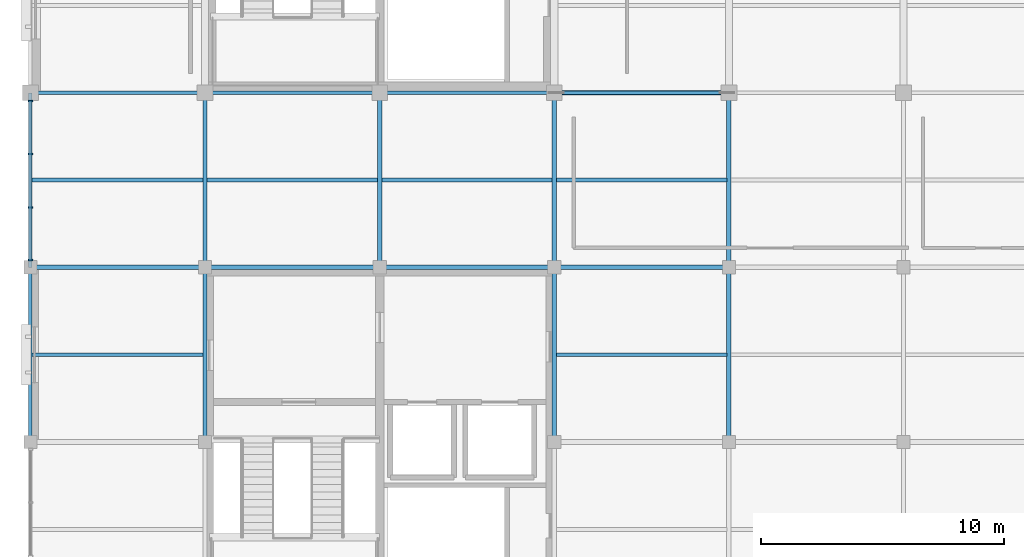
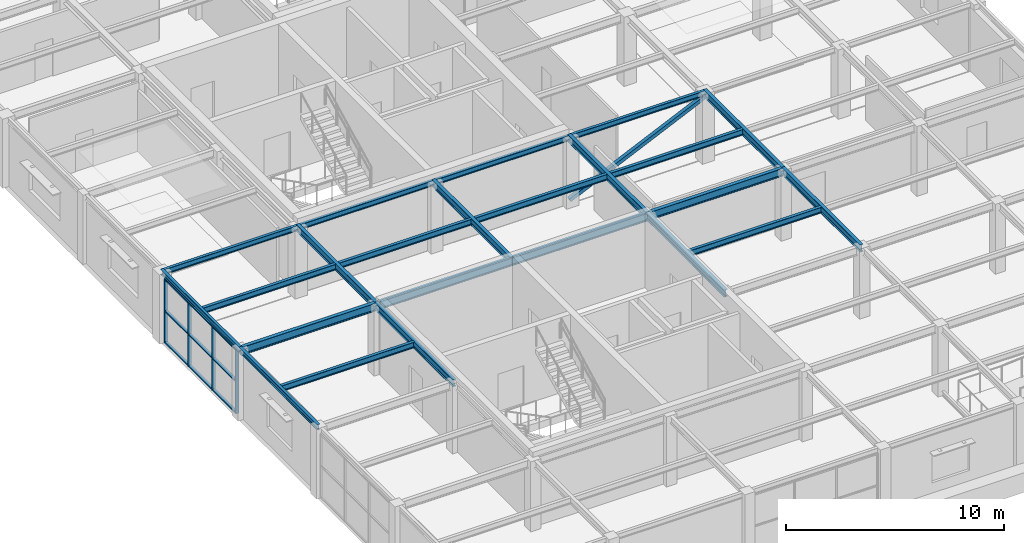
# One storey, part 22 of 83: 23 beams, 8 members, 1 element without a shape of its own.
"""IFC4 building model written with IfcOpenShell, lengths in metres."""

from ifc_helpers import new_model, si_unit, direction, frame, origin, origin_2d, place, context, subcontext, project, spatial, rectangle, hollow_rectangle, i_section, extrude, material, material_profile, profile_set, type_object, element, aggregate, save


model = new_model("IFC4")

# Units and contexts
model_context = context("Model", 3, precision=1e-05, world=origin(), true_north=direction((0.0, 1.0)))
body_context = subcontext(model_context, "Body", "Model", "MODEL_VIEW")
ifc_project = project(units=[si_unit("LENGTHUNIT", "METRE"), si_unit("AREAUNIT", "SQUARE_METRE"), si_unit("VOLUMEUNIT", "CUBIC_METRE"), si_unit("PLANEANGLEUNIT", "RADIAN"), si_unit("MASSUNIT", "GRAM", prefix="KILO")], contexts=[model_context])

# Site, building, storey
site_placement = place(None, origin())
site = spatial("IfcSite", under=ifc_project, at=site_placement, CompositionType="ELEMENT")
building_placement = place(site_placement, origin())
building = spatial("IfcBuilding", under=site, at=building_placement, Name="Leyfeld Transit Interchange", CompositionType="ELEMENT")
storey_placement = place(building_placement, frame((0.0, 0.0, 5.39990234375)))
storey = spatial("IfcBuildingStorey", under=building, at=storey_placement, Name="L01", CompositionType="ELEMENT", Elevation=5.39990234375)

# Beams
ifc_material_1 = material(Name="Steel S355J2", Category="steel")
ifc_material_profile_1 = material_profile(ifc_material_1, i_section(OverallWidth=0.14990234375, OverallDepth=0.300048828125, WebThickness=0.007080078125, FlangeThickness=0.0107421875, FilletRadius=0.014892578125, at=origin_2d()), Name="IPE 300")
ifc_profile_set_1 = profile_set([ifc_material_profile_1], Name="Steel S355J2")
beam_type_1 = type_object("IfcBeamType", Name="BM-STL-IPE300", PredefinedType="SPANDREL", material=ifc_profile_set_1)
beam_1_placement = place(storey_placement, frame((0.0, 79.199951171875, 3.77001953125), z_axis=(0.0, 1.0, 0.0), x_axis=(-1.0, 0.0, 0.0)))
element("IfcBeam", 1, at=beam_1_placement, inside=storey, type_object=beam_type_1, Name="Beam BM-L01-0000_0792-0000_0864", PredefinedType="SPANDREL", context=body_context, shape_type="SweptSolid", body=[
    extrude(i_section(OverallWidth=0.14990234375, OverallDepth=0.300048828125, WebThickness=0.007080078125, FlangeThickness=0.0107421875, FilletRadius=0.014892578125, at=origin_2d()), origin(), (0.0, 0.0, 1.0), 7.199951171875),
])
beam_2_placement = place(storey_placement, frame((0.0, 86.39990234375, 3.77001953125), z_axis=(0.0, 1.0, 0.0), x_axis=(-1.0, 0.0, 0.0)))
element("IfcBeam", 2, at=beam_2_placement, inside=storey, type_object=beam_type_1, Name="Beam BM-L01-0000_0864-0000_0936", PredefinedType="SPANDREL", context=body_context, shape_type="SweptSolid", body=[
    extrude(i_section(OverallWidth=0.14990234375, OverallDepth=0.300048828125, WebThickness=0.007080078125, FlangeThickness=0.0107421875, FilletRadius=0.014892578125, at=origin_2d()), origin(), (0.0, 0.0, 1.0), 7.2001953125),
])
for number, where, z_axis, x_axis, name in (
    (3, (0.0, 93.60009765625, 3.72998046875), (1.0, 0.0, 0.0), (0.0, 1.0, 0.0), "Beam BM-L01-0000_0936-0072_0936"),
    (4, (7.199951171875, 93.60009765625, 3.72998046875), (1.0, 0.0, 0.0), (0.0, 1.0, 0.0), "Beam BM-L01-0072_0936-0144_0936"),
):
    element("IfcBeam", number, at=place(storey_placement, frame(where, z_axis=z_axis, x_axis=x_axis)), inside=storey, type_object=beam_type_1, Name=name, PredefinedType="SPANDREL", context=body_context, shape_type="SweptSolid", body=[
        extrude(i_section(OverallWidth=0.14990234375, OverallDepth=0.300048828125, WebThickness=0.007080078125, FlangeThickness=0.0107421875, FilletRadius=0.014892578125, at=origin_2d()), origin(), (0.0, 0.0, 1.0), 7.199951171875),
    ])
beam_3_placement = place(storey_placement, frame((14.39990234375, 93.60009765625, 3.72998046875), z_axis=(1.0, 0.0, 0.0), x_axis=(0.0, 1.0, 0.0)))
element("IfcBeam", 5, at=beam_3_placement, inside=storey, type_object=beam_type_1, Name="Beam BM-L01-0144_0936-0216_0936", PredefinedType="SPANDREL", context=body_context, shape_type="SweptSolid", body=[
    extrude(i_section(OverallWidth=0.14990234375, OverallDepth=0.300048828125, WebThickness=0.007080078125, FlangeThickness=0.0107421875, FilletRadius=0.014892578125, at=origin_2d()), origin(), (0.0, 0.0, 1.0), 7.2001953125),
])
beam_4_placement = place(storey_placement, frame((21.60009765625, 93.60009765625, 3.72998046875), z_axis=(1.0, 0.0, 0.0), x_axis=(0.0, 1.0, 0.0)))
element("IfcBeam", 6, at=beam_4_placement, inside=storey, type_object=beam_type_1, Name="Beam BM-L01-0216_0936-0288_0936", PredefinedType="SPANDREL", context=body_context, shape_type="SweptSolid", body=[
    extrude(i_section(OverallWidth=0.14990234375, OverallDepth=0.300048828125, WebThickness=0.007080078125, FlangeThickness=0.0107421875, FilletRadius=0.014892578125, at=origin_2d()), origin(), (0.0, 0.0, 1.0), 7.199951171875),
])
ifc_material_profile_2 = material_profile(ifc_material_1, i_section(OverallWidth=0.159912109375, OverallDepth=0.330078125, WebThickness=0.007568359375, FlangeThickness=0.011474609375, FilletRadius=0.01806640625, at=origin_2d()), Name="IPE 330")
ifc_profile_set_2 = profile_set([ifc_material_profile_2], Name="Steel S355J2")
beam_type_2 = type_object("IfcBeamType", Name="BM-STL-IPE330", PredefinedType="BEAM", material=ifc_profile_set_2)
beam_5_placement = place(storey_placement, frame((0.072021484375, 82.800048828125, 3.755126953125), z_axis=(1.0, 0.0, 0.0), x_axis=(0.0, 1.0, 0.0)))
element("IfcBeam", 7, at=beam_5_placement, inside=storey, type_object=beam_type_2, Name="Beam BM-L01-0001_0828-0071_0828", PredefinedType="BEAM", context=body_context, shape_type="SweptSolid", body=[
    extrude(i_section(OverallWidth=0.159912109375, OverallDepth=0.330078125, WebThickness=0.007568359375, FlangeThickness=0.011474609375, FilletRadius=0.01806640625, at=origin_2d()), origin(), (0.0, 0.0, 1.0), 7.041015625),
])
beam_6_placement = place(storey_placement, frame((21.68701171875, 82.800048828125, 3.755126953125), z_axis=(1.0, 0.0, 0.0), x_axis=(0.0, 1.0, 0.0)))
element("IfcBeam", 8, at=beam_6_placement, inside=storey, type_object=beam_type_2, Name="Beam BM-L01-0217_0828-0287_0828", PredefinedType="BEAM", context=body_context, shape_type="SweptSolid", body=[
    extrude(i_section(OverallWidth=0.159912109375, OverallDepth=0.330078125, WebThickness=0.007568359375, FlangeThickness=0.011474609375, FilletRadius=0.01806640625, at=origin_2d()), origin(), (0.0, 0.0, 1.0), 7.02587890625),
])
beam_7_placement = place(storey_placement, frame((0.072021484375, 90.0, 3.755126953125), z_axis=(1.0, 0.0, 0.0), x_axis=(0.0, 1.0, 0.0)))
element("IfcBeam", 9, at=beam_7_placement, inside=storey, type_object=beam_type_2, Name="Beam BM-L01-0001_0900-0071_0900", PredefinedType="BEAM", context=body_context, shape_type="SweptSolid", body=[
    extrude(i_section(OverallWidth=0.159912109375, OverallDepth=0.330078125, WebThickness=0.007568359375, FlangeThickness=0.011474609375, FilletRadius=0.01806640625, at=origin_2d()), origin(), (0.0, 0.0, 1.0), 7.041015625),
])
for number, where, z_axis, x_axis, name in (
    (10, (7.287109375, 90.0, 3.755126953125), (1.0, 0.0, 0.0), (0.0, 1.0, 0.0), "Beam BM-L01-0073_0900-0143_0900"),
    (11, (14.487060546875, 90.0, 3.755126953125), (1.0, 0.0, 0.0), (0.0, 1.0, 0.0), "Beam BM-L01-0145_0900-0215_0900"),
    (12, (21.68701171875, 90.0, 3.755126953125), (1.0, 0.0, 0.0), (0.0, 1.0, 0.0), "Beam BM-L01-0217_0900-0287_0900"),
):
    element("IfcBeam", number, at=place(storey_placement, frame(where, z_axis=z_axis, x_axis=x_axis)), inside=storey, type_object=beam_type_2, Name=name, PredefinedType="BEAM", context=body_context, shape_type="SweptSolid", body=[
        extrude(i_section(OverallWidth=0.159912109375, OverallDepth=0.330078125, WebThickness=0.007568359375, FlangeThickness=0.011474609375, FilletRadius=0.01806640625, at=origin_2d()), origin(), (0.0, 0.0, 1.0), 7.02587890625),
    ])
ifc_material_profile_3 = material_profile(ifc_material_1, i_section(OverallWidth=0.179931640625, OverallDepth=0.39990234375, WebThickness=0.008544921875, FlangeThickness=0.013427734375, FilletRadius=0.02099609375, at=origin_2d()), Name="IPE 400")
ifc_profile_set_3 = profile_set([ifc_material_profile_3], Name="Steel S355J2")
beam_type_3 = type_object("IfcBeamType", Name="BM-STL-IPE400", PredefinedType="BEAM", material=ifc_profile_set_3)
beam_8_placement = place(storey_placement, frame((7.199951171875, 79.199951171875, 3.72021484375), z_axis=(0.0, 1.0, 0.0), x_axis=(-1.0, 0.0, 0.0)))
element("IfcBeam", 13, at=beam_8_placement, inside=storey, type_object=beam_type_3, Name="Beam BM-L01-0072_0792-0072_0864", PredefinedType="BEAM", context=body_context, shape_type="SweptSolid", body=[
    extrude(i_section(OverallWidth=0.179931640625, OverallDepth=0.39990234375, WebThickness=0.008544921875, FlangeThickness=0.013427734375, FilletRadius=0.02099609375, at=origin_2d()), origin(), (0.0, 0.0, 1.0), 7.199951171875),
])
for number, where, z_axis, x_axis, name in (
    (14, (7.199951171875, 86.39990234375, 3.72021484375), (0.0, 1.0, 0.0), (-1.0, 0.0, 0.0), "Beam BM-L01-0072_0864-0072_0936"),
    (15, (14.39990234375, 86.39990234375, 3.72021484375), (0.0, 1.0, 0.0), (-1.0, 0.0, 0.0), "Beam BM-L01-0144_0864-0144_0936"),
):
    element("IfcBeam", number, at=place(storey_placement, frame(where, z_axis=z_axis, x_axis=x_axis)), inside=storey, type_object=beam_type_3, Name=name, PredefinedType="BEAM", context=body_context, shape_type="SweptSolid", body=[
        extrude(i_section(OverallWidth=0.179931640625, OverallDepth=0.39990234375, WebThickness=0.008544921875, FlangeThickness=0.013427734375, FilletRadius=0.02099609375, at=origin_2d()), origin(), (0.0, 0.0, 1.0), 7.2001953125),
    ])
beam_9_placement = place(storey_placement, frame((21.60009765625, 79.199951171875, 3.72021484375), z_axis=(0.0, 1.0, 0.0), x_axis=(-1.0, 0.0, 0.0)))
element("IfcBeam", 16, at=beam_9_placement, inside=storey, type_object=beam_type_3, Name="Beam BM-L01-0216_0792-0216_0864", PredefinedType="BEAM", context=body_context, shape_type="SweptSolid", body=[
    extrude(i_section(OverallWidth=0.179931640625, OverallDepth=0.39990234375, WebThickness=0.008544921875, FlangeThickness=0.013427734375, FilletRadius=0.02099609375, at=origin_2d()), origin(), (0.0, 0.0, 1.0), 7.199951171875),
])
beam_10_placement = place(storey_placement, frame((21.60009765625, 86.39990234375, 3.72021484375), z_axis=(0.0, 1.0, 0.0), x_axis=(-1.0, 0.0, 0.0)))
element("IfcBeam", 17, at=beam_10_placement, inside=storey, type_object=beam_type_3, Name="Beam BM-L01-0216_0864-0216_0936", PredefinedType="BEAM", context=body_context, shape_type="SweptSolid", body=[
    extrude(i_section(OverallWidth=0.179931640625, OverallDepth=0.39990234375, WebThickness=0.008544921875, FlangeThickness=0.013427734375, FilletRadius=0.02099609375, at=origin_2d()), origin(), (0.0, 0.0, 1.0), 7.2001953125),
])
beam_11_placement = place(storey_placement, frame((28.800048828125, 79.199951171875, 3.72021484375), z_axis=(0.0, 1.0, 0.0), x_axis=(-1.0, 0.0, 0.0)))
element("IfcBeam", 18, at=beam_11_placement, inside=storey, type_object=beam_type_3, Name="Beam BM-L01-0288_0792-0288_0864", PredefinedType="BEAM", context=body_context, shape_type="SweptSolid", body=[
    extrude(i_section(OverallWidth=0.179931640625, OverallDepth=0.39990234375, WebThickness=0.008544921875, FlangeThickness=0.013427734375, FilletRadius=0.02099609375, at=origin_2d()), origin(), (0.0, 0.0, 1.0), 7.199951171875),
])
beam_12_placement = place(storey_placement, frame((28.800048828125, 86.39990234375, 3.72021484375), z_axis=(0.0, 1.0, 0.0), x_axis=(-1.0, 0.0, 0.0)))
element("IfcBeam", 19, at=beam_12_placement, inside=storey, type_object=beam_type_3, Name="Beam BM-L01-0288_0864-0288_0936", PredefinedType="BEAM", context=body_context, shape_type="SweptSolid", body=[
    extrude(i_section(OverallWidth=0.179931640625, OverallDepth=0.39990234375, WebThickness=0.008544921875, FlangeThickness=0.013427734375, FilletRadius=0.02099609375, at=origin_2d()), origin(), (0.0, 0.0, 1.0), 7.2001953125),
])
ifc_material_profile_4 = material_profile(ifc_material_1, i_section(OverallWidth=0.18994140625, OverallDepth=0.449951171875, WebThickness=0.009521484375, FlangeThickness=0.0146484375, FilletRadius=0.02099609375, at=origin_2d()), Name="IPE 450")
ifc_profile_set_4 = profile_set([ifc_material_profile_4], Name="Steel S355J2")
beam_type_4 = type_object("IfcBeamType", Name="BM-STL-IPE450", PredefinedType="BEAM", material=ifc_profile_set_4)
for number, where, z_axis, x_axis, name in (
    (20, (0.0, 86.39990234375, 3.695068359375), (1.0, 0.0, 0.0), (0.0, 1.0, 0.0), "Beam BM-L01-0000_0864-0072_0864"),
    (21, (7.199951171875, 86.39990234375, 3.695068359375), (1.0, 0.0, 0.0), (0.0, 1.0, 0.0), "Beam BM-L01-0072_0864-0144_0864"),
):
    element("IfcBeam", number, at=place(storey_placement, frame(where, z_axis=z_axis, x_axis=x_axis)), inside=storey, type_object=beam_type_4, Name=name, PredefinedType="BEAM", context=body_context, shape_type="SweptSolid", body=[
        extrude(i_section(OverallWidth=0.18994140625, OverallDepth=0.449951171875, WebThickness=0.009521484375, FlangeThickness=0.0146484375, FilletRadius=0.02099609375, at=origin_2d()), origin(), (0.0, 0.0, 1.0), 7.199951171875),
    ])
beam_13_placement = place(storey_placement, frame((14.39990234375, 86.39990234375, 3.695068359375), z_axis=(1.0, 0.0, 0.0), x_axis=(0.0, 1.0, 0.0)))
element("IfcBeam", 22, at=beam_13_placement, inside=storey, type_object=beam_type_4, Name="Beam BM-L01-0144_0864-0216_0864", PredefinedType="BEAM", context=body_context, shape_type="SweptSolid", body=[
    extrude(i_section(OverallWidth=0.18994140625, OverallDepth=0.449951171875, WebThickness=0.009521484375, FlangeThickness=0.0146484375, FilletRadius=0.02099609375, at=origin_2d()), origin(), (0.0, 0.0, 1.0), 7.2001953125),
])
beam_14_placement = place(storey_placement, frame((21.60009765625, 86.39990234375, 3.695068359375), z_axis=(1.0, 0.0, 0.0), x_axis=(0.0, 1.0, 0.0)))
element("IfcBeam", 23, at=beam_14_placement, inside=storey, type_object=beam_type_4, Name="Beam BM-L01-0216_0864-0288_0864", PredefinedType="BEAM", context=body_context, shape_type="SweptSolid", body=[
    extrude(i_section(OverallWidth=0.18994140625, OverallDepth=0.449951171875, WebThickness=0.009521484375, FlangeThickness=0.0146484375, FilletRadius=0.02099609375, at=origin_2d()), origin(), (0.0, 0.0, 1.0), 7.199951171875),
])

# Curtain wall, members
ifc_material_2 = material(Name="Anodised aluminium EN AW-6060 T66", Category="aluminium")
curtain_wall_type = type_object("IfcCurtainWallType", Name="CW-SYS-CYC-7200", PredefinedType="NOTDEFINED", material=ifc_material_2)
curtain_wall_placement = place(storey_placement, origin())
curtain_wall = element("IfcCurtainWall", 24, at=curtain_wall_placement, inside=storey, type_object=curtain_wall_type, Name="Curtain Wall CW-L01-072", PredefinedType="NOTDEFINED")
ifc_material_profile_5 = material_profile(ifc_material_2, rectangle(XDim=0.06494140625, YDim=0.179931640625, at=origin_2d()), Name="CW-M 65x180")
ifc_profile_set_5 = profile_set([ifc_material_profile_5], Name="Anodised aluminium EN AW-6060 T66")
member_type_1 = type_object("IfcMemberType", Name="CW-MUL-150x65", PredefinedType="MULLION", material=ifc_profile_set_5)
member_1_placement = place(storey_placement, frame((0.0, 86.697509765625, 0.0), z_axis=(0.0, 0.0, 1.0), x_axis=(0.0, 1.0, 0.0)))
member_1 = element("IfcMember", 25, at=member_1_placement, type_object=member_type_1, Name="Curtain Mullion CW-L01-072-M01", PredefinedType="MULLION", context=body_context, shape_type="SweptSolid", body=[
    extrude(rectangle(XDim=0.06494140625, YDim=0.179931640625, at=origin_2d()), origin(), (0.0, 0.0, 1.0), 3.590087890625),
])
member_2_placement = place(storey_placement, frame((0.0, 88.87158203125, 0.0), z_axis=(0.0, 0.0, 1.0), x_axis=(0.0, 1.0, 0.0)))
member_2 = element("IfcMember", 26, at=member_2_placement, type_object=member_type_1, Name="Curtain Mullion CW-L01-072-M02", PredefinedType="MULLION", context=body_context, shape_type="SweptSolid", body=[
    extrude(rectangle(XDim=0.06494140625, YDim=0.179931640625, at=origin_2d()), origin(), (0.0, 0.0, 1.0), 3.590087890625),
])
member_3_placement = place(storey_placement, frame((0.0, 91.078369140625, 0.0), z_axis=(0.0, 0.0, 1.0), x_axis=(0.0, 1.0, 0.0)))
member_3 = element("IfcMember", 27, at=member_3_placement, type_object=member_type_1, Name="Curtain Mullion CW-L01-072-M03", PredefinedType="MULLION", context=body_context, shape_type="SweptSolid", body=[
    extrude(rectangle(XDim=0.06494140625, YDim=0.179931640625, at=origin_2d()), origin(), (0.0, 0.0, 1.0), 3.590087890625),
])
member_4_placement = place(storey_placement, frame((0.0, 93.25244140625, 0.0), z_axis=(0.0, 0.0, 1.0), x_axis=(0.0, 1.0, 0.0)))
member_4 = element("IfcMember", 28, at=member_4_placement, type_object=member_type_1, Name="Curtain Mullion CW-L01-072-M04", PredefinedType="MULLION", context=body_context, shape_type="SweptSolid", body=[
    extrude(rectangle(XDim=0.06494140625, YDim=0.179931640625, at=origin_2d()), origin(), (0.0, 0.0, 1.0), 3.590087890625),
])
ifc_material_profile_6 = material_profile(ifc_material_2, rectangle(XDim=0.14990234375, YDim=0.06494140625, at=origin_2d()), Name="CW-TRN-135x65")
ifc_profile_set_6 = profile_set([ifc_material_profile_6], Name="Anodised aluminium EN AW-6060 T66")
member_type_2 = type_object("IfcMemberType", Name="CW-TRN-135x65", PredefinedType="USERDEFINED", material=ifc_profile_set_6)
member_5_placement = place(storey_placement, frame((0.0, 86.6650390625, 0.03271484375), z_axis=(0.0, 1.0, 0.0), x_axis=(-1.0, 0.0, 0.0)))
member_5 = element("IfcMember", 29, at=member_5_placement, type_object=member_type_2, Name="Curtain Transom CW-L01-072-T01", ObjectType="TRANSOM", PredefinedType="USERDEFINED", context=body_context, shape_type="SweptSolid", body=[
    extrude(rectangle(XDim=0.14990234375, YDim=0.06494140625, at=origin_2d()), origin(), (0.0, 0.0, 1.0), 6.619873046875),
])
member_6_placement = place(storey_placement, frame((0.0, 86.6650390625, 1.795166015625), z_axis=(0.0, 1.0, 0.0), x_axis=(-1.0, 0.0, 0.0)))
member_6 = element("IfcMember", 30, at=member_6_placement, type_object=member_type_2, Name="Curtain Transom CW-L01-072-T02", ObjectType="TRANSOM", PredefinedType="USERDEFINED", context=body_context, shape_type="SweptSolid", body=[
    extrude(rectangle(XDim=0.14990234375, YDim=0.06494140625, at=origin_2d()), origin(), (0.0, 0.0, 1.0), 6.619873046875),
])
member_7_placement = place(storey_placement, frame((0.0, 86.6650390625, 3.5576171875), z_axis=(0.0, 1.0, 0.0), x_axis=(-1.0, 0.0, 0.0)))
member_7 = element("IfcMember", 31, at=member_7_placement, type_object=member_type_2, Name="Curtain Transom CW-L01-072-T03", ObjectType="TRANSOM", PredefinedType="USERDEFINED", context=body_context, shape_type="SweptSolid", body=[
    extrude(rectangle(XDim=0.14990234375, YDim=0.06494140625, at=origin_2d()), origin(), (0.0, 0.0, 1.0), 6.619873046875),
])
aggregate(curtain_wall, [member_1, member_2, member_3, member_4, member_5, member_6, member_7])

# Member
ifc_material_profile_7 = material_profile(ifc_material_1, hollow_rectangle(XDim=0.199951171875, YDim=0.199951171875, WallThickness=0.010009765625, at=origin_2d()), Name="SHS 200x200x10")
ifc_profile_set_7 = profile_set([ifc_material_profile_7], Name="Steel S355J2")
member_type_3 = type_object("IfcMemberType", Name="MEM-BRC-SHS200", PredefinedType="BRACE", material=ifc_profile_set_7)
member_8_placement = place(storey_placement, frame((21.60009765625, 93.60009765625, 0.25), z_axis=(0.909061417515, 0.0, 0.416662140332), x_axis=(0.0, 1.0, 0.0)))
element("IfcMember", 32, at=member_8_placement, inside=storey, type_object=member_type_3, Name="Lateral Diagonal Brace 002", PredefinedType="BRACE", context=body_context, shape_type="SweptSolid", body=[
    extrude(hollow_rectangle(XDim=0.199951171875, YDim=0.199951171875, WallThickness=0.010009765625, at=origin_2d()), origin(), (0.0, 0.0, 1.0), 7.920166015625),
])

save(model, "model.ifc")
